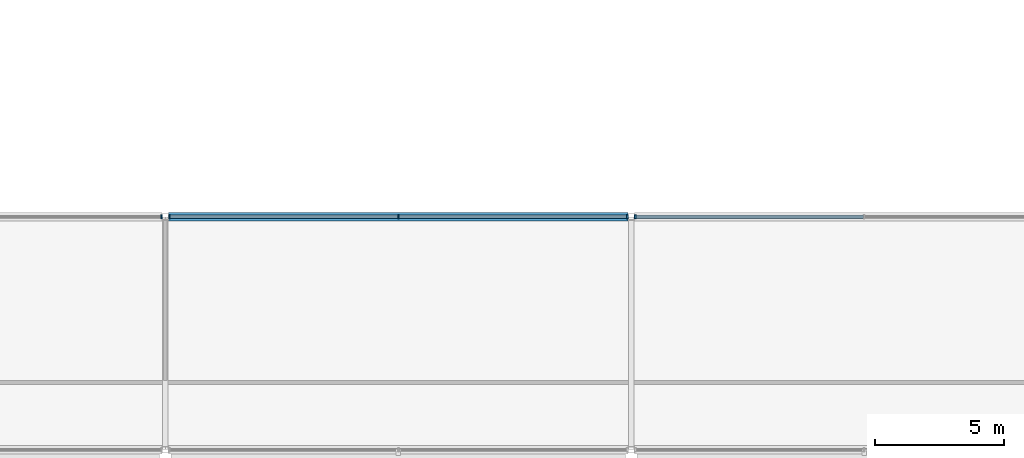
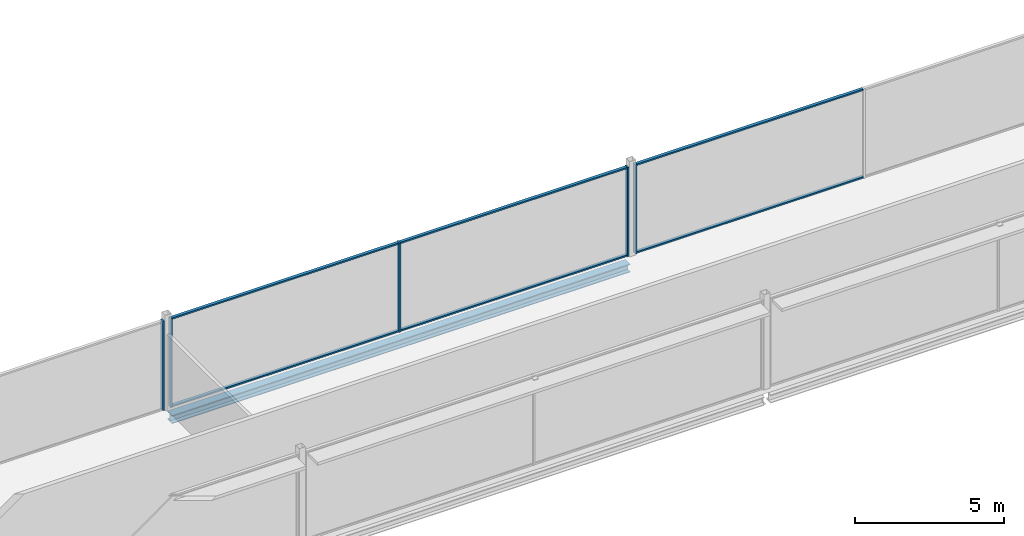
# One storey, part 28 of 96: 11 members, 1 beam, 3 elements without a shape of their own.
"""IFC4 building model written with IfcOpenShell, lengths in metres."""

from ifc_helpers import new_model, si_unit, direction, frame, origin, origin_2d, place, context, subcontext, project, spatial, rectangle, i_section, extrude, material, layer, layer_set, material_profile, profile_set, type_object, element, aggregate, save


model = new_model("IFC4")

# Units and contexts
model_context = context("Model", 3, precision=1e-05, world=origin(), true_north=direction((0.0, 1.0)))
body_context = subcontext(model_context, "Body", "Model", "MODEL_VIEW")
ifc_project = project(units=[si_unit("LENGTHUNIT", "METRE"), si_unit("AREAUNIT", "SQUARE_METRE"), si_unit("VOLUMEUNIT", "CUBIC_METRE"), si_unit("PLANEANGLEUNIT", "RADIAN"), si_unit("MASSUNIT", "GRAM", prefix="KILO")], contexts=[model_context])

# Site, building, storey
site_placement = place(None, origin())
site = spatial("IfcSite", under=ifc_project, at=site_placement, CompositionType="ELEMENT")
building_placement = place(site_placement, origin())
building = spatial("IfcBuilding", under=site, at=building_placement, Name="Kisiwana Market Hall", CompositionType="ELEMENT")
storey_placement = place(building_placement, frame((0.0, 0.0, 25.5)))
storey = spatial("IfcBuildingStorey", under=building, at=storey_placement, Name="L05", CompositionType="ELEMENT", Elevation=25.5)

# Beam
ifc_material_1 = material(Name="Steel S355", Category="steel")
ifc_material_profile_1 = material_profile(ifc_material_1, i_section(OverallWidth=0.314453125, OverallDepth=0.33984375, WebThickness=0.01904296875, FlangeThickness=0.031494140625, at=origin_2d()), Name="UC 305x305x198")
ifc_profile_set_1 = profile_set([ifc_material_profile_1], Name="Steel S355")
beam_type = type_object("IfcBeamType", Name="BM-SKYBR-CHORD", PredefinedType="BEAM", material=ifc_profile_set_1)
beam_placement = place(storey_placement, frame((99.12109375, 27.0, -0.43505859375), z_axis=(1.0, 0.0, 0.0), x_axis=(0.0, 1.0, 0.0)))
element("IfcBeam", 1, at=beam_placement, inside=storey, type_object=beam_type, Name="Floor beam B-1620", PredefinedType="BEAM", context=body_context, shape_type="SweptSolid", body=[
    extrude(i_section(OverallWidth=0.314453125, OverallDepth=0.33984375, WebThickness=0.01904296875, FlangeThickness=0.031494140625, at=origin_2d()), origin(), (0.0, 0.0, 1.0), 17.7578125),
])

# Curtain wall, member
ifc_material_2 = material(Name="Double-glazed solar-control low-E IGU", Category="glass")
ifc_layer = layer(ifc_material_2, 0.159912109375)
ifc_layer_set = layer_set([ifc_layer], Name="CW-ZNA-EW-8200")
curtain_wall_type = type_object("IfcCurtainWallType", Name="CW-ZNA-EW-8200", PredefinedType="USERDEFINED", material=ifc_layer_set)
curtain_wall_1_placement = place(storey_placement, origin())
curtain_wall_1 = element("IfcCurtainWall", 2, at=curtain_wall_1_placement, inside=storey, type_object=curtain_wall_type, Name="Unitised curtain wall CW-140 (L05)", ObjectType="UNITISED CURTAIN WALL", PredefinedType="USERDEFINED")
ifc_material_3 = material(Name="Aluminium alloy 6063-T6", Category="aluminium")
ifc_material_profile_2 = material_profile(ifc_material_3, rectangle(XDim=0.06005859375, YDim=0.159912109375, at=origin_2d()), Name="ALU MULLION 60x160")
ifc_profile_set_2 = profile_set([ifc_material_profile_2], Name="Aluminium alloy 6063-T6")
member_type_1 = type_object("IfcMemberType", Name="CW-MULL-60x160", PredefinedType="MULLION", material=ifc_profile_set_2)
member_1_placement = place(storey_placement, frame((98.844970703125, 27.0, 0.0), z_axis=(0.0, 0.0, 1.0), x_axis=(1.0, 0.0, 0.0)))
member_1 = element("IfcMember", 3, at=member_1_placement, type_object=member_type_1, Name="CW-140 mullion 3", PredefinedType="MULLION", context=body_context, shape_type="SweptSolid", body=[
    extrude(rectangle(XDim=0.06005859375, YDim=0.159912109375, at=origin_2d()), origin(), (0.0, 0.0, 1.0), 3.655029296875),
])
aggregate(curtain_wall_1, [member_1])

# Curtain wall, members
curtain_wall_2_placement = place(storey_placement, origin())
curtain_wall_2 = element("IfcCurtainWall", 4, at=curtain_wall_2_placement, inside=storey, type_object=curtain_wall_type, Name="Unitised curtain wall CW-141 (L05)", ObjectType="UNITISED CURTAIN WALL", PredefinedType="USERDEFINED")
member_2_placement = place(storey_placement, frame((99.155029296875, 27.0, 0.0), z_axis=(0.0, 0.0, 1.0), x_axis=(1.0, 0.0, 0.0)))
member_2 = element("IfcMember", 5, at=member_2_placement, type_object=member_type_1, Name="CW-141 mullion 1", PredefinedType="MULLION", context=body_context, shape_type="SweptSolid", body=[
    extrude(rectangle(XDim=0.06005859375, YDim=0.159912109375, at=origin_2d()), origin(), (0.0, 0.0, 1.0), 3.655029296875),
])
member_3_placement = place(storey_placement, frame((108.0, 27.0, 0.0), z_axis=(0.0, 0.0, 1.0), x_axis=(1.0, 0.0, 0.0)))
member_3 = element("IfcMember", 6, at=member_3_placement, type_object=member_type_1, Name="CW-141 mullion 2", PredefinedType="MULLION", context=body_context, shape_type="SweptSolid", body=[
    extrude(rectangle(XDim=0.06005859375, YDim=0.159912109375, at=origin_2d()), origin(), (0.0, 0.0, 1.0), 3.655029296875),
])
member_4_placement = place(storey_placement, frame((116.844970703125, 27.0, 0.0), z_axis=(0.0, 0.0, 1.0), x_axis=(1.0, 0.0, 0.0)))
member_4 = element("IfcMember", 7, at=member_4_placement, type_object=member_type_1, Name="CW-141 mullion 3", PredefinedType="MULLION", context=body_context, shape_type="SweptSolid", body=[
    extrude(rectangle(XDim=0.06005859375, YDim=0.159912109375, at=origin_2d()), origin(), (0.0, 0.0, 1.0), 3.655029296875),
])

# Curtain wall, member
curtain_wall_3_placement = place(storey_placement, origin())
curtain_wall_3 = element("IfcCurtainWall", 8, at=curtain_wall_3_placement, inside=storey, type_object=curtain_wall_type, Name="Unitised curtain wall CW-142 (L05)", ObjectType="UNITISED CURTAIN WALL", PredefinedType="USERDEFINED")
member_5_placement = place(storey_placement, frame((117.155029296875, 27.0, 0.0), z_axis=(0.0, 0.0, 1.0), x_axis=(1.0, 0.0, 0.0)))
member_5 = element("IfcMember", 9, at=member_5_placement, type_object=member_type_1, Name="CW-142 mullion 1", PredefinedType="MULLION", context=body_context, shape_type="SweptSolid", body=[
    extrude(rectangle(XDim=0.06005859375, YDim=0.159912109375, at=origin_2d()), origin(), (0.0, 0.0, 1.0), 3.655029296875),
])

# Member
ifc_material_4 = material(Name="Aluminium alloy 6063-T6", Category="aluminium")
ifc_material_profile_3 = material_profile(ifc_material_4, rectangle(XDim=0.1201171875, YDim=0.06005859375, at=origin_2d()), Name="ALU TRANSOM 60x120")
ifc_profile_set_3 = profile_set([ifc_material_profile_3], Name="Aluminium alloy 6063-T6")
member_type_2 = type_object("IfcMemberType", Name="CW-TRAN-60x120", PredefinedType="USERDEFINED", material=ifc_profile_set_3)
member_6_placement = place(storey_placement, frame((99.18505859375, 27.0, 0.030029296875), z_axis=(1.0, 0.0, 0.0), x_axis=(0.0, 1.0, 0.0)))
member_6 = element("IfcMember", 10, at=member_6_placement, type_object=member_type_2, Name="CW-141 transom 1.1", ObjectType="TRANSOM", PredefinedType="USERDEFINED", context=body_context, shape_type="SweptSolid", body=[
    extrude(rectangle(XDim=0.1201171875, YDim=0.06005859375, at=origin_2d()), origin(), (0.0, 0.0, 1.0), 8.784912109375),
])

member_7_placement = place(storey_placement, frame((99.18505859375, 27.0, 3.625), z_axis=(1.0, 0.0, 0.0), x_axis=(0.0, 1.0, 0.0)))
member_7 = element("IfcMember", 11, at=member_7_placement, type_object=member_type_2, Name="CW-141 transom 1.2", ObjectType="TRANSOM", PredefinedType="USERDEFINED", context=body_context, shape_type="SweptSolid", body=[
    extrude(rectangle(XDim=0.1201171875, YDim=0.06005859375, at=origin_2d()), origin(), (0.0, 0.0, 1.0), 8.784912109375),
])

member_8_placement = place(storey_placement, frame((108.030029296875, 27.0, 0.030029296875), z_axis=(1.0, 0.0, 0.0), x_axis=(0.0, 1.0, 0.0)))
member_8 = element("IfcMember", 12, at=member_8_placement, type_object=member_type_2, Name="CW-141 transom 2.1", ObjectType="TRANSOM", PredefinedType="USERDEFINED", context=body_context, shape_type="SweptSolid", body=[
    extrude(rectangle(XDim=0.1201171875, YDim=0.06005859375, at=origin_2d()), origin(), (0.0, 0.0, 1.0), 8.784912109375),
])

member_9_placement = place(storey_placement, frame((108.030029296875, 27.0, 3.625), z_axis=(1.0, 0.0, 0.0), x_axis=(0.0, 1.0, 0.0)))
member_9 = element("IfcMember", 13, at=member_9_placement, type_object=member_type_2, Name="CW-141 transom 2.2", ObjectType="TRANSOM", PredefinedType="USERDEFINED", context=body_context, shape_type="SweptSolid", body=[
    extrude(rectangle(XDim=0.1201171875, YDim=0.06005859375, at=origin_2d()), origin(), (0.0, 0.0, 1.0), 8.784912109375),
])

aggregate(curtain_wall_2, [member_2, member_3, member_4, member_6, member_7, member_8, member_9])

member_10_placement = place(storey_placement, frame((117.18505859375, 27.0, 0.030029296875), z_axis=(1.0, 0.0, 0.0), x_axis=(0.0, 1.0, 0.0)))
member_10 = element("IfcMember", 14, at=member_10_placement, type_object=member_type_2, Name="CW-142 transom 1.1", ObjectType="TRANSOM", PredefinedType="USERDEFINED", context=body_context, shape_type="SweptSolid", body=[
    extrude(rectangle(XDim=0.1201171875, YDim=0.06005859375, at=origin_2d()), origin(), (0.0, 0.0, 1.0), 8.784912109375),
])

member_11_placement = place(storey_placement, frame((117.18505859375, 27.0, 3.625), z_axis=(1.0, 0.0, 0.0), x_axis=(0.0, 1.0, 0.0)))
member_11 = element("IfcMember", 15, at=member_11_placement, type_object=member_type_2, Name="CW-142 transom 1.2", ObjectType="TRANSOM", PredefinedType="USERDEFINED", context=body_context, shape_type="SweptSolid", body=[
    extrude(rectangle(XDim=0.1201171875, YDim=0.06005859375, at=origin_2d()), origin(), (0.0, 0.0, 1.0), 8.784912109375),
])

aggregate(curtain_wall_3, [member_5, member_10, member_11])

save(model, "model.ifc")
